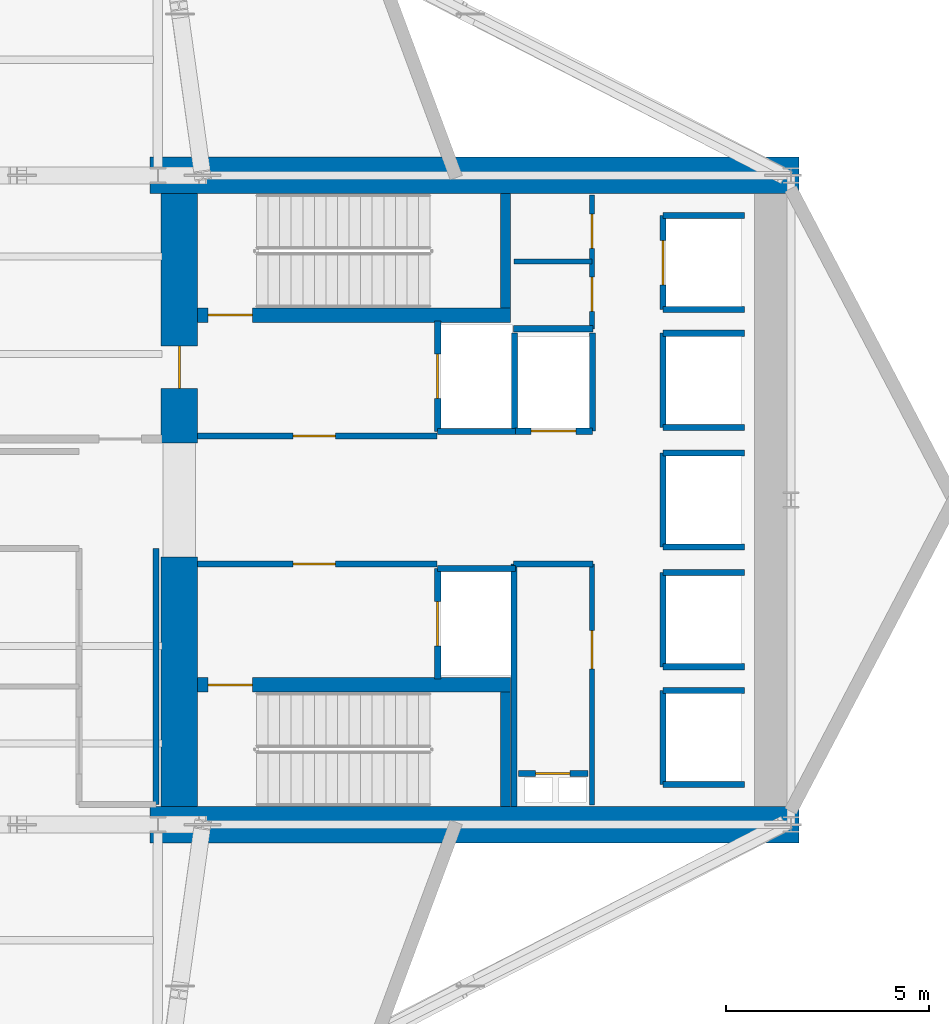
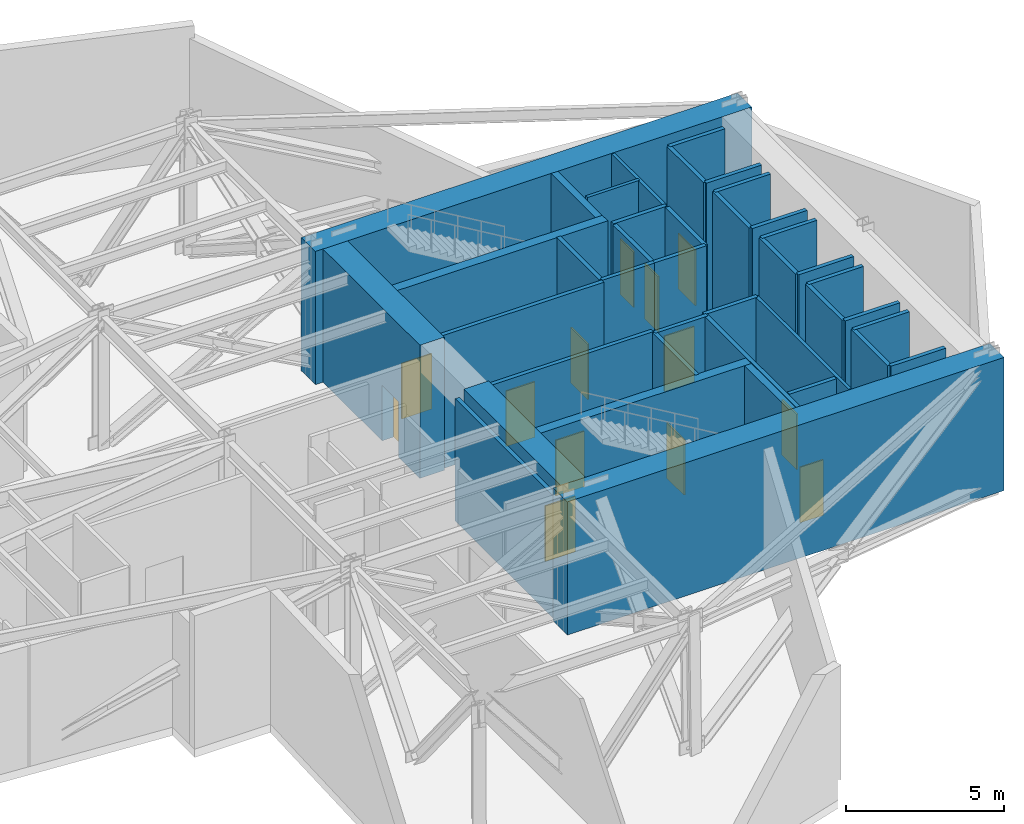
# One storey, part 5 of 7: 40 walls, 13 doors, 13 openings.
"""IFC4 building model written with IfcOpenShell, lengths in metres."""

from ifc_helpers import new_model, si_unit, direction, frame, frame_2d, origin, place, context, subcontext, project, spatial, rectangle, extrude, material, layer, layer_set, type_object, element, fill, save


model = new_model("IFC4")

# Units and contexts
model_context = context("Model", 3, precision=1e-05, world=origin(), true_north=direction((0.0, 1.0)))
body_context = subcontext(model_context, "Body", "Model", "MODEL_VIEW")
ifc_project = project(units=[si_unit("LENGTHUNIT", "METRE"), si_unit("AREAUNIT", "SQUARE_METRE"), si_unit("VOLUMEUNIT", "CUBIC_METRE"), si_unit("PLANEANGLEUNIT", "RADIAN"), si_unit("MASSUNIT", "GRAM", prefix="KILO")], contexts=[model_context])

# Site, building, storey
site_placement = place(None, origin())
site = spatial("IfcSite", under=ifc_project, at=site_placement, CompositionType="ELEMENT")
building_placement = place(site_placement, origin())
building = spatial("IfcBuilding", under=site, at=building_placement, Name="Veymaron Broadcast Tower", CompositionType="ELEMENT")
storey_placement = place(building_placement, frame((0.0, 0.0, 32.39990234375)))
storey = spatial("IfcBuildingStorey", under=building, at=storey_placement, Name="L06", CompositionType="ELEMENT", Elevation=32.39990234375)

# Wall, opening, door
ifc_material_1 = material(Name="Gypsum fireboard and steel stud framing", Category="steel")
ifc_layer_1 = layer(ifc_material_1, 0.14990234375)
ifc_layer_set_1 = layer_set([ifc_layer_1], Name="Gypsum fireboard and steel stud framing")
wall_type_1 = type_object("IfcWallType", Name="WALL-FIRE-150", PredefinedType="PARTITIONING", material=ifc_layer_set_1)
wall_1_placement = place(storey_placement, frame((39.97998046875, 25.574951171875, 0.0), z_axis=(0.0, 0.0, 1.0), x_axis=(1.0, 0.0, 0.0)))
wall_1 = element("IfcWall", 1, at=wall_1_placement, inside=storey, type_object=wall_type_1, Name="L06 partition IW-L06-FFLN-S", PredefinedType="PARTITIONING", context=body_context, shape_type="SweptSolid", body=[
    extrude(rectangle(XDim=5.89990234375, YDim=0.14990234375, at=frame_2d((2.949951171875, 0.0))), origin(), (0.0, 0.0, 1.0), 5.16015625),
])
opening_1_placement = place(wall_1_placement, frame((2.35009765625, 0.0, 0.0)))
opening_1 = element("IfcOpeningElement", 2, at=opening_1_placement, cuts=wall_1, Name="Opening ID-FL1", PredefinedType="OPENING", context=body_context, shape_type="SweptSolid", body=[
    extrude(rectangle(XDim=1.050048828125, YDim=2.14990234375, at=frame_2d((0.52490234375, 1.074951171875))), frame((0.0, 0.0849609375, 0.0), z_axis=(0.0, -1.0, 0.0), x_axis=(1.0, 0.0, 0.0)), (0.0, 0.0, 1.0), 0.169921875),
])
ifc_material_2 = material(Name="Fire-rated painted hollow steel ASTM A653", Category="steel")
door_type_1 = type_object("IfcDoorType", Name="DOOR-FIRE-1050", OperationType="NOTDEFINED", PredefinedType="DOOR", material=ifc_material_2)
door_1_placement = place(opening_1_placement, origin())
door_1 = element("IfcDoor", 3, at=door_1_placement, inside=storey, type_object=door_type_1, Name="L06 door DR-L06-FFLN", OperationType="SINGLE_SWING_LEFT", OverallHeight=2.14990234375, OverallWidth=1.050048828125, PredefinedType="DOOR", context=body_context, shape_type="SweptSolid", body=[
    extrude(rectangle(XDim=1.050048828125, YDim=2.14990234375, at=frame_2d((0.52490234375, 1.074951171875))), frame((0.0, 0.02490234375, 0.0), z_axis=(0.0, -1.0, 0.0), x_axis=(1.0, 0.0, 0.0)), (0.0, 0.0, 1.0), 0.050048828125),
])
fill(opening_1, door_1)

wall_2_placement = place(storey_placement, frame((39.97998046875, 22.425048828125, 0.0), z_axis=(0.0, 0.0, 1.0), x_axis=(1.0, 0.0, 0.0)))
wall_2 = element("IfcWall", 4, at=wall_2_placement, inside=storey, type_object=wall_type_1, Name="L06 partition IW-L06-FFLS-N", PredefinedType="PARTITIONING", context=body_context, shape_type="SweptSolid", body=[
    extrude(rectangle(XDim=5.89990234375, YDim=0.14990234375, at=frame_2d((2.949951171875, 0.0))), origin(), (0.0, 0.0, 1.0), 5.16015625),
])
opening_2_placement = place(wall_2_placement, frame((2.35009765625, 0.0, 0.0)))
opening_2 = element("IfcOpeningElement", 5, at=opening_2_placement, cuts=wall_2, Name="Opening ID-FL1", PredefinedType="OPENING", context=body_context, shape_type="SweptSolid", body=[
    extrude(rectangle(XDim=1.050048828125, YDim=2.14990234375, at=frame_2d((0.52490234375, 1.074951171875))), frame((0.0, 0.0849609375, 0.0), z_axis=(0.0, -1.0, 0.0), x_axis=(1.0, 0.0, 0.0)), (0.0, 0.0, 1.0), 0.169921875),
])
door_2_placement = place(opening_2_placement, frame((1.050048828125, 0.0, 0.0), z_axis=(0.0, 0.0, 1.0), x_axis=(-1.0, 0.0, 0.0)))
door_2 = element("IfcDoor", 6, at=door_2_placement, inside=storey, type_object=door_type_1, Name="L06 door DR-L06-FFLS", OperationType="SINGLE_SWING_RIGHT", OverallHeight=2.14990234375, OverallWidth=1.050048828125, PredefinedType="DOOR", context=body_context, shape_type="SweptSolid", body=[
    extrude(rectangle(XDim=1.050048828125, YDim=2.14990234375, at=frame_2d((0.52490234375, 1.074951171875))), frame((0.0, 0.02490234375, 0.0), z_axis=(0.0, -1.0, 0.0), x_axis=(1.0, 0.0, 0.0)), (0.0, 0.0, 1.0), 0.050048828125),
])
fill(opening_2, door_2)

wall_3_placement = place(storey_placement, frame((45.89501953125, 25.68994140625, 0.0), z_axis=(0.0, 0.0, 1.0), x_axis=(0.0, 1.0, 0.0)))
wall_3 = element("IfcWall", 7, at=wall_3_placement, inside=storey, type_object=wall_type_1, Name="L06 partition IW-L06-SHW-FFL-1", PredefinedType="PARTITIONING", context=body_context, shape_type="SweptSolid", body=[
    extrude(rectangle(XDim=2.719970703125, YDim=0.14990234375, at=frame_2d((1.35986328125, 0.0))), origin(), (0.0, 0.0, 1.0), 5.16015625),
])
opening_3_placement = place(wall_3_placement, frame((0.81005859375, 0.0, 0.0)))
opening_3 = element("IfcOpeningElement", 8, at=opening_3_placement, cuts=wall_3, Name="Opening LD", PredefinedType="OPENING", context=body_context, shape_type="SweptSolid", body=[
    extrude(rectangle(XDim=1.10009765625, YDim=2.14990234375, at=frame_2d((0.550048828125, 1.074951171875))), frame((0.0, 0.0849609375, 0.0), z_axis=(0.0, -1.0, 0.0), x_axis=(1.0, 0.0, 0.0)), (0.0, 0.0, 1.0), 0.169921875),
])
ifc_material_3 = material(Name="Brushed stainless steel AISI 304", Category="steel")
door_type_2 = type_object("IfcDoorType", Name="DOOR-LIFT-1100", OperationType="DOUBLE_DOOR_SLIDING", PredefinedType="DOOR", material=ifc_material_3)
door_3_placement = place(opening_3_placement, frame((1.10009765625, 0.0, 0.0), z_axis=(0.0, 0.0, 1.0), x_axis=(-1.0, 0.0, 0.0)))
door_3 = element("IfcDoor", 9, at=door_3_placement, inside=storey, type_object=door_type_2, Name="L06 door LD-L06-FFL-1", OperationType="DOUBLE_DOOR_SLIDING", OverallHeight=2.14990234375, OverallWidth=1.10009765625, PredefinedType="DOOR", context=body_context, shape_type="SweptSolid", body=[
    extrude(rectangle(XDim=1.10009765625, YDim=2.14990234375, at=frame_2d((0.550048828125, 1.074951171875))), frame((0.0, 0.02490234375, 0.0), z_axis=(0.0, -1.0, 0.0), x_axis=(1.0, 0.0, 0.0)), (0.0, 0.0, 1.0), 0.050048828125),
])
fill(opening_3, door_3)

# Wall
wall_4_placement = place(storey_placement, frame((45.89501953125, 25.68994140625, 0.0), z_axis=(0.0, 0.0, 1.0), x_axis=(1.0, 0.0, 0.0)))
element("IfcWall", 10, at=wall_4_placement, inside=storey, type_object=wall_type_1, Name="L06 partition IW-L06-SHS-FFL-1", PredefinedType="PARTITIONING", context=body_context, shape_type="SweptSolid", body=[
    extrude(rectangle(XDim=1.9150390625, YDim=0.14990234375, at=frame_2d((0.95751953125, 0.0))), origin(), (0.0, 0.0, 1.0), 5.16015625),
])

# Wall, opening, door
wall_5_placement = place(storey_placement, frame((45.89501953125, 19.590087890625, 0.0), z_axis=(0.0, 0.0, 1.0), x_axis=(0.0, 1.0, 0.0)))
wall_5 = element("IfcWall", 11, at=wall_5_placement, inside=storey, type_object=wall_type_1, Name="L06 partition IW-L06-SHW-FFL-2", PredefinedType="PARTITIONING", context=body_context, shape_type="SweptSolid", body=[
    extrude(rectangle(XDim=2.719970703125, YDim=0.14990234375, at=frame_2d((1.35986328125, 0.0))), origin(), (0.0, 0.0, 1.0), 5.16015625),
])
opening_4_placement = place(wall_5_placement, frame((0.81005859375, 0.0, 0.0)))
opening_4 = element("IfcOpeningElement", 12, at=opening_4_placement, cuts=wall_5, Name="Opening LD", PredefinedType="OPENING", context=body_context, shape_type="SweptSolid", body=[
    extrude(rectangle(XDim=1.10009765625, YDim=2.14990234375, at=frame_2d((0.550048828125, 1.074951171875))), frame((0.0, 0.0849609375, 0.0), z_axis=(0.0, -1.0, 0.0), x_axis=(1.0, 0.0, 0.0)), (0.0, 0.0, 1.0), 0.169921875),
])
door_4_placement = place(opening_4_placement, frame((1.10009765625, 0.0, 0.0), z_axis=(0.0, 0.0, 1.0), x_axis=(-1.0, 0.0, 0.0)))
door_4 = element("IfcDoor", 13, at=door_4_placement, inside=storey, type_object=door_type_2, Name="L06 door LD-L06-FFL-2", OperationType="DOUBLE_DOOR_SLIDING", OverallHeight=2.14990234375, OverallWidth=1.10009765625, PredefinedType="DOOR", context=body_context, shape_type="SweptSolid", body=[
    extrude(rectangle(XDim=1.10009765625, YDim=2.14990234375, at=frame_2d((0.550048828125, 1.074951171875))), frame((0.0, 0.02490234375, 0.0), z_axis=(0.0, -1.0, 0.0), x_axis=(1.0, 0.0, 0.0)), (0.0, 0.0, 1.0), 0.050048828125),
])
fill(opening_4, door_4)

# Wall
wall_6_placement = place(storey_placement, frame((45.89501953125, 22.31005859375, 0.0), z_axis=(0.0, 0.0, 1.0), x_axis=(1.0, 0.0, 0.0)))
element("IfcWall", 14, at=wall_6_placement, inside=storey, type_object=wall_type_1, Name="L06 partition IW-L06-SHN-FFL-2", PredefinedType="PARTITIONING", context=body_context, shape_type="SweptSolid", body=[
    extrude(rectangle(XDim=1.9150390625, YDim=0.14990234375, at=frame_2d((0.95751953125, 0.0))), origin(), (0.0, 0.0, 1.0), 5.16015625),
])

# Wall, opening, door
wall_7_placement = place(storey_placement, frame((47.7900390625, 25.695068359375, 0.0), z_axis=(0.0, 0.0, 1.0), x_axis=(1.0, 0.0, 0.0)))
wall_7 = element("IfcWall", 15, at=wall_7_placement, inside=storey, type_object=wall_type_1, Name="L06 partition IW-L06-SHS-SL-1", PredefinedType="PARTITIONING", context=body_context, shape_type="SweptSolid", body=[
    extrude(rectangle(XDim=1.919921875, YDim=0.14990234375, at=frame_2d((0.9599609375, 0.0))), origin(), (0.0, 0.0, 1.0), 5.16015625),
])
opening_5_placement = place(wall_7_placement, frame((0.409912109375, 0.0, 0.0)))
opening_5 = element("IfcOpeningElement", 16, at=opening_5_placement, cuts=wall_7, Name="Opening LD", PredefinedType="OPENING", context=body_context, shape_type="SweptSolid", body=[
    extrude(rectangle(XDim=1.10009765625, YDim=2.14990234375, at=frame_2d((0.550048828125, 1.074951171875))), frame((0.0, 0.0849609375, 0.0), z_axis=(0.0, -1.0, 0.0), x_axis=(1.0, 0.0, 0.0)), (0.0, 0.0, 1.0), 0.169921875),
])
door_5_placement = place(opening_5_placement, frame((1.10009765625, 0.0, 0.0), z_axis=(0.0, 0.0, 1.0), x_axis=(-1.0, 0.0, 0.0)))
door_5 = element("IfcDoor", 17, at=door_5_placement, inside=storey, type_object=door_type_2, Name="L06 door LD-L06-SL-1", OperationType="DOUBLE_DOOR_SLIDING", OverallHeight=2.14990234375, OverallWidth=1.10009765625, PredefinedType="DOOR", context=body_context, shape_type="SweptSolid", body=[
    extrude(rectangle(XDim=1.10009765625, YDim=2.14990234375, at=frame_2d((0.550048828125, 1.074951171875))), frame((0.0, 0.02490234375, 0.0), z_axis=(0.0, -1.0, 0.0), x_axis=(1.0, 0.0, 0.0)), (0.0, 0.0, 1.0), 0.050048828125),
])
fill(opening_5, door_5)

# Walls
for number, where, z_axis, x_axis, name in (
    (18, (47.7900390625, 25.695068359375, 0.0), (0.0, 0.0, 1.0), (0.0, 1.0, 0.0), "L06 partition IW-L06-SHW-SL-1"),
    (19, (49.7099609375, 25.695068359375, 0.0), (0.0, 0.0, 1.0), (0.0, 1.0, 0.0), "L06 partition IW-L06-SHE-SL-1"),
):
    element("IfcWall", number, at=place(storey_placement, frame(where, z_axis=z_axis, x_axis=x_axis)), inside=storey, type_object=wall_type_1, Name=name, PredefinedType="PARTITIONING", context=body_context, shape_type="SweptSolid", body=[
        extrude(rectangle(XDim=2.4150390625, YDim=0.14990234375, at=frame_2d((1.20751953125, 0.0))), origin(), (0.0, 0.0, 1.0), 5.16015625),
    ])

# Wall, opening, door
wall_8_placement = place(storey_placement, frame((51.445068359375, 28.68994140625, 0.0), z_axis=(0.0, 0.0, 1.0), x_axis=(0.0, 1.0, 0.0)))
wall_8 = element("IfcWall", 20, at=wall_8_placement, inside=storey, type_object=wall_type_1, Name="L06 partition IW-L06-SHW-PL1", PredefinedType="PARTITIONING", context=body_context, shape_type="SweptSolid", body=[
    extrude(rectangle(XDim=2.320068359375, YDim=0.14990234375, at=frame_2d((1.16015625, 0.0))), origin(), (0.0, 0.0, 1.0), 5.16015625),
])
opening_6_placement = place(wall_8_placement, frame((0.610107421875, 0.0, 0.0)))
opening_6 = element("IfcOpeningElement", 21, at=opening_6_placement, cuts=wall_8, Name="Opening LD", PredefinedType="OPENING", context=body_context, shape_type="SweptSolid", body=[
    extrude(rectangle(XDim=1.10009765625, YDim=2.14990234375, at=frame_2d((0.550048828125, 1.074951171875))), frame((0.0, 0.0849609375, 0.0), z_axis=(0.0, -1.0, 0.0), x_axis=(1.0, 0.0, 0.0)), (0.0, 0.0, 1.0), 0.169921875),
])
door_6_placement = place(opening_6_placement, frame((1.10009765625, 0.0, 0.0), z_axis=(0.0, 0.0, 1.0), x_axis=(-1.0, 0.0, 0.0)))
door_6 = element("IfcDoor", 22, at=door_6_placement, inside=storey, type_object=door_type_2, Name="L06 door LD-L06-PL1", OperationType="DOUBLE_DOOR_SLIDING", OverallHeight=2.14990234375, OverallWidth=1.10009765625, PredefinedType="DOOR", context=body_context, shape_type="SweptSolid", body=[
    extrude(rectangle(XDim=1.10009765625, YDim=2.14990234375, at=frame_2d((0.550048828125, 1.074951171875))), frame((0.0, 0.02490234375, 0.0), z_axis=(0.0, -1.0, 0.0), x_axis=(1.0, 0.0, 0.0)), (0.0, 0.0, 1.0), 0.050048828125),
])
fill(opening_6, door_6)

# Walls
for number, where, z_axis, x_axis, name in (
    (23, (51.445068359375, 28.68994140625, 0.0), (0.0, 0.0, 1.0), (1.0, 0.0, 0.0), "L06 partition IW-L06-SHS-PL1"),
    (24, (51.445068359375, 31.010009765625, 0.0), (0.0, 0.0, 1.0), (1.0, 0.0, 0.0), "L06 partition IW-L06-SHN-PL1"),
):
    element("IfcWall", number, at=place(storey_placement, frame(where, z_axis=z_axis, x_axis=x_axis)), inside=storey, type_object=wall_type_1, Name=name, PredefinedType="PARTITIONING", context=body_context, shape_type="SweptSolid", body=[
        extrude(rectangle(XDim=2.014892578125, YDim=0.14990234375, at=frame_2d((1.00732421875, 0.0))), origin(), (0.0, 0.0, 1.0), 5.16015625),
    ])
wall_9_placement = place(storey_placement, frame((51.445068359375, 25.7900390625, 0.0), z_axis=(0.0, 0.0, 1.0), x_axis=(0.0, 1.0, 0.0)))
element("IfcWall", 25, at=wall_9_placement, inside=storey, type_object=wall_type_1, Name="L06 partition IW-L06-SHW-PM1", PredefinedType="PARTITIONING", context=body_context, shape_type="SweptSolid", body=[
    extrude(rectangle(XDim=2.320068359375, YDim=0.14990234375, at=frame_2d((1.16015625, 0.0))), origin(), (0.0, 0.0, 1.0), 5.16015625),
])
for number, where, z_axis, x_axis, name in (
    (26, (51.445068359375, 25.7900390625, 0.0), (0.0, 0.0, 1.0), (1.0, 0.0, 0.0), "L06 partition IW-L06-SHS-PM1"),
    (27, (51.445068359375, 28.110107421875, 0.0), (0.0, 0.0, 1.0), (1.0, 0.0, 0.0), "L06 partition IW-L06-SHN-PM1"),
):
    element("IfcWall", number, at=place(storey_placement, frame(where, z_axis=z_axis, x_axis=x_axis)), inside=storey, type_object=wall_type_1, Name=name, PredefinedType="PARTITIONING", context=body_context, shape_type="SweptSolid", body=[
        extrude(rectangle(XDim=2.014892578125, YDim=0.14990234375, at=frame_2d((1.00732421875, 0.0))), origin(), (0.0, 0.0, 1.0), 5.16015625),
    ])
wall_10_placement = place(storey_placement, frame((51.445068359375, 19.889892578125, 0.0), z_axis=(0.0, 0.0, 1.0), x_axis=(0.0, 1.0, 0.0)))
element("IfcWall", 28, at=wall_10_placement, inside=storey, type_object=wall_type_1, Name="L06 partition IW-L06-SHW-PM2", PredefinedType="PARTITIONING", context=body_context, shape_type="SweptSolid", body=[
    extrude(rectangle(XDim=2.320068359375, YDim=0.14990234375, at=frame_2d((1.16015625, 0.0))), origin(), (0.0, 0.0, 1.0), 5.16015625),
])
for number, where, z_axis, x_axis, name in (
    (29, (51.445068359375, 19.889892578125, 0.0), (0.0, 0.0, 1.0), (1.0, 0.0, 0.0), "L06 partition IW-L06-SHS-PM2"),
    (30, (51.445068359375, 22.2099609375, 0.0), (0.0, 0.0, 1.0), (1.0, 0.0, 0.0), "L06 partition IW-L06-SHN-PM2"),
):
    element("IfcWall", number, at=place(storey_placement, frame(where, z_axis=z_axis, x_axis=x_axis)), inside=storey, type_object=wall_type_1, Name=name, PredefinedType="PARTITIONING", context=body_context, shape_type="SweptSolid", body=[
        extrude(rectangle(XDim=2.014892578125, YDim=0.14990234375, at=frame_2d((1.00732421875, 0.0))), origin(), (0.0, 0.0, 1.0), 5.16015625),
    ])
wall_11_placement = place(storey_placement, frame((51.445068359375, 22.840087890625, 0.0), z_axis=(0.0, 0.0, 1.0), x_axis=(0.0, 1.0, 0.0)))
element("IfcWall", 31, at=wall_11_placement, inside=storey, type_object=wall_type_1, Name="L06 partition IW-L06-SHW-PM3", PredefinedType="PARTITIONING", context=body_context, shape_type="SweptSolid", body=[
    extrude(rectangle(XDim=2.31982421875, YDim=0.14990234375, at=frame_2d((1.159912109375, 0.0))), origin(), (0.0, 0.0, 1.0), 5.16015625),
])
for number, where, z_axis, x_axis, name in (
    (32, (51.445068359375, 22.840087890625, 0.0), (0.0, 0.0, 1.0), (1.0, 0.0, 0.0), "L06 partition IW-L06-SHS-PM3"),
    (33, (51.445068359375, 25.159912109375, 0.0), (0.0, 0.0, 1.0), (1.0, 0.0, 0.0), "L06 partition IW-L06-SHN-PM3"),
):
    element("IfcWall", number, at=place(storey_placement, frame(where, z_axis=z_axis, x_axis=x_axis)), inside=storey, type_object=wall_type_1, Name=name, PredefinedType="PARTITIONING", context=body_context, shape_type="SweptSolid", body=[
        extrude(rectangle(XDim=2.014892578125, YDim=0.14990234375, at=frame_2d((1.00732421875, 0.0))), origin(), (0.0, 0.0, 1.0), 5.16015625),
    ])
wall_12_placement = place(storey_placement, frame((51.445068359375, 16.989990234375, 0.0), z_axis=(0.0, 0.0, 1.0), x_axis=(0.0, 1.0, 0.0)))
element("IfcWall", 34, at=wall_12_placement, inside=storey, type_object=wall_type_1, Name="L06 partition IW-L06-SHW-PH1", PredefinedType="PARTITIONING", context=body_context, shape_type="SweptSolid", body=[
    extrude(rectangle(XDim=2.320068359375, YDim=0.14990234375, at=frame_2d((1.16015625, 0.0))), origin(), (0.0, 0.0, 1.0), 5.16015625),
])
for number, where, z_axis, x_axis, name in (
    (35, (51.445068359375, 16.989990234375, 0.0), (0.0, 0.0, 1.0), (1.0, 0.0, 0.0), "L06 partition IW-L06-SHS-PH1"),
    (36, (51.445068359375, 19.31005859375, 0.0), (0.0, 0.0, 1.0), (1.0, 0.0, 0.0), "L06 partition IW-L06-SHN-PH1"),
):
    element("IfcWall", number, at=place(storey_placement, frame(where, z_axis=z_axis, x_axis=x_axis)), inside=storey, type_object=wall_type_1, Name=name, PredefinedType="PARTITIONING", context=body_context, shape_type="SweptSolid", body=[
        extrude(rectangle(XDim=2.014892578125, YDim=0.14990234375, at=frame_2d((1.00732421875, 0.0))), origin(), (0.0, 0.0, 1.0), 5.16015625),
    ])

# Wall, opening, door
wall_13_placement = place(storey_placement, frame((47.8798828125, 17.260009765625, 0.0), z_axis=(0.0, 0.0, 1.0), x_axis=(1.0, 0.0, 0.0)))
wall_13 = element("IfcWall", 37, at=wall_13_placement, inside=storey, type_object=wall_type_1, Name="L06 partition IW-L06-RIS-N", PredefinedType="PARTITIONING", context=body_context, shape_type="SweptSolid", body=[
    extrude(rectangle(XDim=1.72021484375, YDim=0.14990234375, at=frame_2d((0.860107421875, 0.0))), origin(), (0.0, 0.0, 1.0), 5.16015625),
])
opening_7_placement = place(wall_13_placement, frame((0.419921875, 0.0, 0.0)))
opening_7 = element("IfcOpeningElement", 38, at=opening_7_placement, cuts=wall_13, Name="Opening ID-RS1", PredefinedType="OPENING", context=body_context, shape_type="SweptSolid", body=[
    extrude(rectangle(XDim=0.85009765625, YDim=2.14990234375, at=frame_2d((0.425048828125, 1.074951171875))), frame((0.0, 0.0849609375, 0.0), z_axis=(0.0, -1.0, 0.0), x_axis=(1.0, 0.0, 0.0)), (0.0, 0.0, 1.0), 0.169921875),
])
ifc_material_4 = material(Name="Fire-rated powder-coated steel riser leaf", Category="steel")
door_type_3 = type_object("IfcDoorType", Name="DOOR-RIS-850", OperationType="NOTDEFINED", PredefinedType="TRAPDOOR", material=ifc_material_4)
door_7_placement = place(opening_7_placement, origin())
door_7 = element("IfcDoor", 39, at=door_7_placement, inside=storey, type_object=door_type_3, Name="L06 door DR-L06-RIS", OperationType="SINGLE_SWING_LEFT", OverallHeight=2.14990234375, OverallWidth=0.85009765625, PredefinedType="TRAPDOOR", context=body_context, shape_type="SweptSolid", body=[
    extrude(rectangle(XDim=0.85009765625, YDim=2.14990234375, at=frame_2d((0.425048828125, 1.074951171875))), frame((0.0, 0.02490234375, 0.0), z_axis=(0.0, -1.0, 0.0), x_axis=(1.0, 0.0, 0.0)), (0.0, 0.0, 1.0), 0.050048828125),
])
fill(opening_7, door_7)

# Walls
wall_14_placement = place(storey_placement, frame((47.760009765625, 22.425048828125, 0.0), z_axis=(0.0, 0.0, 1.0), x_axis=(1.0, 0.0, 0.0)))
element("IfcWall", 40, at=wall_14_placement, inside=storey, type_object=wall_type_1, Name="L06 partition IW-L06-SM-N", PredefinedType="PARTITIONING", context=body_context, shape_type="SweptSolid", body=[
    extrude(rectangle(XDim=1.9599609375, YDim=0.14990234375, at=frame_2d((0.97998046875, 0.0))), origin(), (0.0, 0.0, 1.0), 5.16015625),
])
wall_15_placement = place(storey_placement, frame((47.780029296875, 16.449951171875, 0.0), z_axis=(0.0, 0.0, 1.0), x_axis=(0.0, 1.0, 0.0)))
element("IfcWall", 41, at=wall_15_placement, inside=storey, type_object=wall_type_1, Name="L06 partition IW-L06-SM-W", PredefinedType="PARTITIONING", context=body_context, shape_type="SweptSolid", body=[
    extrude(rectangle(XDim=5.97509765625, YDim=0.14990234375, at=frame_2d((2.987548828125, 0.0))), origin(), (0.0, 0.0, 1.0), 5.16015625),
])
wall_16_placement = place(storey_placement, frame((47.760009765625, 28.219970703125, 0.0), z_axis=(0.0, 0.0, 1.0), x_axis=(1.0, 0.0, 0.0)))
element("IfcWall", 42, at=wall_16_placement, inside=storey, type_object=wall_type_1, Name="L06 partition IW-L06-NM-S", PredefinedType="PARTITIONING", context=body_context, shape_type="SweptSolid", body=[
    extrude(rectangle(XDim=1.9599609375, YDim=0.14990234375, at=frame_2d((0.97998046875, 0.0))), origin(), (0.0, 0.0, 1.0), 5.16015625),
])
wall_17_placement = place(storey_placement, frame((38.949951171875, 16.5, 0.0), z_axis=(0.0, 0.0, 1.0), x_axis=(0.0, 1.0, 0.0)))
element("IfcWall", 43, at=wall_17_placement, inside=storey, type_object=wall_type_1, Name="L06 partition IW-L06-P01", PredefinedType="PARTITIONING", context=body_context, shape_type="SweptSolid", body=[
    extrude(rectangle(XDim=6.300048828125, YDim=0.14990234375, at=frame_2d((3.14990234375, 0.0))), origin(), (0.0, 0.0, 1.0), 4.7412109375),
])

# Wall, opening, door
ifc_material_5 = material(Name="Acoustic gypsum board and galvanized stud", Category="gypsum")
ifc_layer_2 = layer(ifc_material_5, 0.1201171875)
ifc_layer_set_2 = layer_set([ifc_layer_2], Name="Acoustic gypsum board and galvanized stud")
wall_type_2 = type_object("IfcWallType", Name="WALL-PART-120", PredefinedType="PARTITIONING", material=ifc_layer_set_2)
wall_18_placement = place(storey_placement, frame((49.699951171875, 16.47998046875, 0.0), z_axis=(0.0, 0.0, 1.0), x_axis=(0.0, 1.0, 0.0)))
wall_18 = element("IfcWall", 44, at=wall_18_placement, inside=storey, type_object=wall_type_2, Name="L06 partition IW-L06-SM-E", PredefinedType="PARTITIONING", context=body_context, shape_type="SweptSolid", body=[
    extrude(rectangle(XDim=5.945068359375, YDim=0.1201171875, at=frame_2d((2.97265625, 0.0))), origin(), (0.0, 0.0, 1.0), 5.16015625),
])
opening_8_placement = place(wall_18_placement, frame((3.35009765625, 0.0, 0.0)))
opening_8 = element("IfcOpeningElement", 45, at=opening_8_placement, cuts=wall_18, Name="Opening ID-RM1", PredefinedType="OPENING", context=body_context, shape_type="SweptSolid", body=[
    extrude(rectangle(XDim=0.949951171875, YDim=2.14990234375, at=frame_2d((0.47509765625, 1.074951171875))), frame((0.0, 0.070068359375, 0.0), z_axis=(0.0, -1.0, 0.0), x_axis=(1.0, 0.0, 0.0)), (0.0, 0.0, 1.0), 0.14013671875),
])
ifc_material_6 = material(Name="Acoustic solid-core European oak veneer timber", Category="wood")
door_type_4 = type_object("IfcDoorType", Name="DOOR-INT-950", OperationType="NOTDEFINED", PredefinedType="DOOR", material=ifc_material_6)
door_8_placement = place(opening_8_placement, frame((0.949951171875, 0.0, 0.0), z_axis=(0.0, 0.0, 1.0), x_axis=(-1.0, 0.0, 0.0)))
door_8 = element("IfcDoor", 46, at=door_8_placement, inside=storey, type_object=door_type_4, Name="L06 door DR-L06-AWC", OperationType="SINGLE_SWING_LEFT", OverallHeight=2.14990234375, OverallWidth=0.949951171875, PredefinedType="DOOR", context=body_context, shape_type="SweptSolid", body=[
    extrude(rectangle(XDim=0.949951171875, YDim=2.14990234375, at=frame_2d((0.47509765625, 1.074951171875))), frame((0.0, 0.02490234375, 0.0), z_axis=(0.0, -1.0, 0.0), x_axis=(1.0, 0.0, 0.0)), (0.0, 0.0, 1.0), 0.050048828125),
])
fill(opening_8, door_8)

# Wall
wall_19_placement = place(storey_placement, frame((47.780029296875, 29.8798828125, 0.0), z_axis=(0.0, 0.0, 1.0), x_axis=(1.0, 0.0, 0.0)))
element("IfcWall", 47, at=wall_19_placement, inside=storey, type_object=wall_type_2, Name="L06 partition IW-L06-NM-M", PredefinedType="PARTITIONING", context=body_context, shape_type="SweptSolid", body=[
    extrude(rectangle(XDim=1.919921875, YDim=0.1201171875, at=frame_2d((0.9599609375, 0.0))), origin(), (0.0, 0.0, 1.0), 5.16015625),
])

# Wall, openings, doors
wall_20_placement = place(storey_placement, frame((49.699951171875, 28.219970703125, 0.0), z_axis=(0.0, 0.0, 1.0), x_axis=(0.0, 1.0, 0.0)))
wall_20 = element("IfcWall", 48, at=wall_20_placement, inside=storey, type_object=wall_type_2, Name="L06 partition IW-L06-NM-E", PredefinedType="PARTITIONING", context=body_context, shape_type="SweptSolid", body=[
    extrude(rectangle(XDim=3.300048828125, YDim=0.1201171875, at=frame_2d((1.64990234375, 0.0))), origin(), (0.0, 0.0, 1.0), 5.16015625),
])
opening_9_placement = place(wall_20_placement, frame((0.419921875, 0.0, 0.0)))
opening_9 = element("IfcOpeningElement", 49, at=opening_9_placement, cuts=wall_20, Name="Opening ID-WC1", PredefinedType="OPENING", context=body_context, shape_type="SweptSolid", body=[
    extrude(rectangle(XDim=0.85009765625, YDim=2.14990234375, at=frame_2d((0.425048828125, 1.074951171875))), frame((0.0, 0.070068359375, 0.0), z_axis=(0.0, -1.0, 0.0), x_axis=(1.0, 0.0, 0.0)), (0.0, 0.0, 1.0), 0.14013671875),
])
opening_10_placement = place(wall_20_placement, frame((1.97998046875, 0.0, 0.0)))
opening_10 = element("IfcOpeningElement", 50, at=opening_10_placement, cuts=wall_20, Name="Opening ID-WC1", PredefinedType="OPENING", context=body_context, shape_type="SweptSolid", body=[
    extrude(rectangle(XDim=0.85009765625, YDim=2.14990234375, at=frame_2d((0.425048828125, 1.074951171875))), frame((0.0, 0.070068359375, 0.0), z_axis=(0.0, -1.0, 0.0), x_axis=(1.0, 0.0, 0.0)), (0.0, 0.0, 1.0), 0.14013671875),
])
ifc_material_7 = material(Name="Moisture-resistant high-pressure laminate timber", Category="wood")
door_type_5 = type_object("IfcDoorType", Name="DOOR-INT-850", OperationType="NOTDEFINED", PredefinedType="DOOR", material=ifc_material_7)
door_9_placement = place(opening_9_placement, frame((0.85009765625, 0.0, 0.0), z_axis=(0.0, 0.0, 1.0), x_axis=(-1.0, 0.0, 0.0)))
door_9 = element("IfcDoor", 51, at=door_9_placement, inside=storey, type_object=door_type_5, Name="L06 door DR-L06-NMA", OperationType="SINGLE_SWING_LEFT", OverallHeight=2.14990234375, OverallWidth=0.85009765625, PredefinedType="DOOR", context=body_context, shape_type="SweptSolid", body=[
    extrude(rectangle(XDim=0.85009765625, YDim=2.14990234375, at=frame_2d((0.425048828125, 1.074951171875))), frame((0.0, 0.02490234375, 0.0), z_axis=(0.0, -1.0, 0.0), x_axis=(1.0, 0.0, 0.0)), (0.0, 0.0, 1.0), 0.050048828125),
])
fill(opening_9, door_9)
door_10_placement = place(opening_10_placement, frame((0.85009765625, 0.0, 0.0), z_axis=(0.0, 0.0, 1.0), x_axis=(-1.0, 0.0, 0.0)))
door_10 = element("IfcDoor", 52, at=door_10_placement, inside=storey, type_object=door_type_5, Name="L06 door DR-L06-NMB", OperationType="SINGLE_SWING_RIGHT", OverallHeight=2.14990234375, OverallWidth=0.85009765625, PredefinedType="DOOR", context=body_context, shape_type="SweptSolid", body=[
    extrude(rectangle(XDim=0.85009765625, YDim=2.14990234375, at=frame_2d((0.425048828125, 1.074951171875))), frame((0.0, 0.02490234375, 0.0), z_axis=(0.0, -1.0, 0.0), x_axis=(1.0, 0.0, 0.0)), (0.0, 0.0, 1.0), 0.050048828125),
])
fill(opening_10, door_10)

# Walls
ifc_material_8 = material(Name="Concrete C50/60", Category="concrete")
ifc_layer_3 = layer(ifc_material_8, 0.25)
ifc_layer_set_3 = layer_set([ifc_layer_3], Name="Concrete C50/60")
wall_type_3 = type_object("IfcWallType", Name="WALL-SHEAR-250", PredefinedType="SHEAR", material=ifc_layer_set_3)
for number, where, z_axis, x_axis, name in (
    (53, (47.56494140625, 28.72998046875, 0.0), (0.0, 0.0, 1.0), (0.0, 1.0, 0.0), "L06 Core Wall north stair east shear"),
    (54, (47.56494140625, 16.449951171875, 0.0), (0.0, 0.0, 1.0), (0.0, 1.0, 0.0), "L06 Core Wall south stair east shear"),
):
    element("IfcWall", number, at=place(storey_placement, frame(where, z_axis=z_axis, x_axis=x_axis)), inside=storey, type_object=wall_type_3, Name=name, PredefinedType="SHEAR", context=body_context, shape_type="SweptSolid", body=[
        extrude(rectangle(XDim=2.820068359375, YDim=0.25, at=frame_2d((1.41015625, 0.0))), origin(), (0.0, 0.0, 1.0), 5.16015625),
    ])

# Wall, opening, door
ifc_layer_4 = layer(ifc_material_8, 0.35009765625)
ifc_layer_set_4 = layer_set([ifc_layer_4], Name="Concrete C50/60")
wall_type_4 = type_object("IfcWallType", Name="WALL-SHEAR-350", PredefinedType="SHEAR", material=ifc_layer_set_4)
wall_21_placement = place(storey_placement, frame((39.97998046875, 28.554931640625, 0.0), z_axis=(0.0, 0.0, 1.0), x_axis=(1.0, 0.0, 0.0)))
wall_21 = element("IfcWall", 55, at=wall_21_placement, inside=storey, type_object=wall_type_4, Name="L06 Core Wall north stair spine", PredefinedType="SHEAR", context=body_context, shape_type="SweptSolid", body=[
    extrude(rectangle(XDim=7.7099609375, YDim=0.35009765625, at=frame_2d((3.85498046875, 0.0))), origin(), (0.0, 0.0, 1.0), 5.16015625),
])
opening_11_placement = place(wall_21_placement, frame((0.25, 0.0, 0.0)))
opening_11 = element("IfcOpeningElement", 56, at=opening_11_placement, cuts=wall_21, Name="Opening ID-ST1", PredefinedType="OPENING", context=body_context, shape_type="SweptSolid", body=[
    extrude(rectangle(XDim=1.10009765625, YDim=2.14990234375, at=frame_2d((0.550048828125, 1.074951171875))), frame((0.0, 0.18505859375, 0.0), z_axis=(0.0, -1.0, 0.0), x_axis=(1.0, 0.0, 0.0)), (0.0, 0.0, 1.0), 0.3701171875),
])
door_type_6 = type_object("IfcDoorType", Name="DOOR-STAIR-1100", OperationType="NOTDEFINED", PredefinedType="DOOR", material=ifc_material_2)
door_11_placement = place(opening_11_placement, origin())
door_11 = element("IfcDoor", 57, at=door_11_placement, inside=storey, type_object=door_type_6, Name="L06 exit stair ST1 fire door", OperationType="SINGLE_SWING_LEFT", OverallHeight=2.14990234375, OverallWidth=1.10009765625, PredefinedType="DOOR", context=body_context, shape_type="SweptSolid", body=[
    extrude(rectangle(XDim=1.10009765625, YDim=2.14990234375, at=frame_2d((0.550048828125, 1.074951171875))), frame((0.0, 0.02490234375, 0.0), z_axis=(0.0, -1.0, 0.0), x_axis=(1.0, 0.0, 0.0)), (0.0, 0.0, 1.0), 0.050048828125),
])
fill(opening_11, door_11)

wall_22_placement = place(storey_placement, frame((39.97998046875, 19.445068359375, 0.0), z_axis=(0.0, 0.0, 1.0), x_axis=(1.0, 0.0, 0.0)))
wall_22 = element("IfcWall", 58, at=wall_22_placement, inside=storey, type_object=wall_type_4, Name="L06 Core Wall south stair spine", PredefinedType="SHEAR", context=body_context, shape_type="SweptSolid", body=[
    extrude(rectangle(XDim=7.7099609375, YDim=0.35009765625, at=frame_2d((3.85498046875, 0.0))), origin(), (0.0, 0.0, 1.0), 5.16015625),
])
opening_12_placement = place(wall_22_placement, frame((0.25, 0.0, 0.0)))
opening_12 = element("IfcOpeningElement", 59, at=opening_12_placement, cuts=wall_22, Name="Opening ID-ST1", PredefinedType="OPENING", context=body_context, shape_type="SweptSolid", body=[
    extrude(rectangle(XDim=1.10009765625, YDim=2.14990234375, at=frame_2d((0.550048828125, 1.074951171875))), frame((0.0, 0.18505859375, 0.0), z_axis=(0.0, -1.0, 0.0), x_axis=(1.0, 0.0, 0.0)), (0.0, 0.0, 1.0), 0.3701171875),
])
door_12_placement = place(opening_12_placement, frame((1.10009765625, 0.0, 0.0), z_axis=(0.0, 0.0, 1.0), x_axis=(-1.0, 0.0, 0.0)))
door_12 = element("IfcDoor", 60, at=door_12_placement, inside=storey, type_object=door_type_6, Name="L06 exit stair ST2 fire door", OperationType="SINGLE_SWING_RIGHT", OverallHeight=2.14990234375, OverallWidth=1.10009765625, PredefinedType="DOOR", context=body_context, shape_type="SweptSolid", body=[
    extrude(rectangle(XDim=1.10009765625, YDim=2.14990234375, at=frame_2d((0.550048828125, 1.074951171875))), frame((0.0, 0.02490234375, 0.0), z_axis=(0.0, -1.0, 0.0), x_axis=(1.0, 0.0, 0.0)), (0.0, 0.0, 1.0), 0.050048828125),
])
fill(opening_12, door_12)

# Walls
ifc_material_9 = material(Name="Concrete C70/85", Category="concrete")
ifc_layer_5 = layer(ifc_material_9, 0.89990234375)
ifc_layer_set_5 = layer_set([ifc_layer_5], Name="Concrete C70/85")
wall_type_5 = type_object("IfcWallType", Name="WALL-SHEAR-900", PredefinedType="SHEAR", material=ifc_layer_set_5)
for number, where, z_axis, x_axis, name in (
    (61, (38.800048828125, 32.0, 0.0), (0.0, 0.0, 1.0), (1.0, 0.0, 0.0), "L06 Core Wall north shear"),
    (62, (38.800048828125, 16.0, 0.0), (0.0, 0.0, 1.0), (1.0, 0.0, 0.0), "L06 Core Wall south shear"),
):
    element("IfcWall", number, at=place(storey_placement, frame(where, z_axis=z_axis, x_axis=x_axis)), inside=storey, type_object=wall_type_5, Name=name, PredefinedType="SHEAR", context=body_context, shape_type="SweptSolid", body=[
        extrude(rectangle(XDim=16.0, YDim=0.89990234375, at=frame_2d((8.0, 0.0))), origin(), (0.0, 0.0, 1.0), 5.16015625),
    ])
wall_23_placement = place(storey_placement, frame((39.530029296875, 16.449951171875, 0.0), z_axis=(0.0, 0.0, 1.0), x_axis=(0.0, 1.0, 0.0)))
element("IfcWall", 63, at=wall_23_placement, inside=storey, type_object=wall_type_5, Name="L06 Core Wall west-south shear", PredefinedType="SHEAR", context=body_context, shape_type="SweptSolid", body=[
    extrude(rectangle(XDim=6.150146484375, YDim=0.89990234375, at=frame_2d((3.0751953125, 0.0))), origin(), (0.0, 0.0, 1.0), 5.16015625),
])

# Wall, opening, door
wall_24_placement = place(storey_placement, frame((39.530029296875, 25.39990234375, 0.0), z_axis=(0.0, 0.0, 1.0), x_axis=(0.0, 1.0, 0.0)))
wall_24 = element("IfcWall", 64, at=wall_24_placement, inside=storey, type_object=wall_type_5, Name="L06 Core Wall west-north shear", PredefinedType="SHEAR", context=body_context, shape_type="SweptSolid", body=[
    extrude(rectangle(XDim=6.150146484375, YDim=0.89990234375, at=frame_2d((3.0751953125, 0.0))), origin(), (0.0, 0.0, 1.0), 5.16015625),
])
opening_13_placement = place(wall_24_placement, frame((1.35009765625, 0.0, 0.0)))
opening_13 = element("IfcOpeningElement", 65, at=opening_13_placement, cuts=wall_24, Name="Opening ID-FL1", PredefinedType="OPENING", context=body_context, shape_type="SweptSolid", body=[
    extrude(rectangle(XDim=1.050048828125, YDim=2.14990234375, at=frame_2d((0.52490234375, 1.074951171875))), frame((0.0, 0.4599609375, 0.0), z_axis=(0.0, -1.0, 0.0), x_axis=(1.0, 0.0, 0.0)), (0.0, 0.0, 1.0), 0.919921875),
])
door_13_placement = place(opening_13_placement, origin())
door_13 = element("IfcDoor", 66, at=door_13_placement, inside=storey, type_object=door_type_1, Name="L06 refuge direct stair-lobby fire door", OperationType="SINGLE_SWING_LEFT", OverallHeight=2.14990234375, OverallWidth=1.050048828125, PredefinedType="DOOR", context=body_context, shape_type="SweptSolid", body=[
    extrude(rectangle(XDim=1.050048828125, YDim=2.14990234375, at=frame_2d((0.52490234375, 1.074951171875))), frame((0.0, 0.02490234375, 0.0), z_axis=(0.0, -1.0, 0.0), x_axis=(1.0, 0.0, 0.0)), (0.0, 0.0, 1.0), 0.050048828125),
])
fill(opening_13, door_13)

save(model, "model.ifc")
